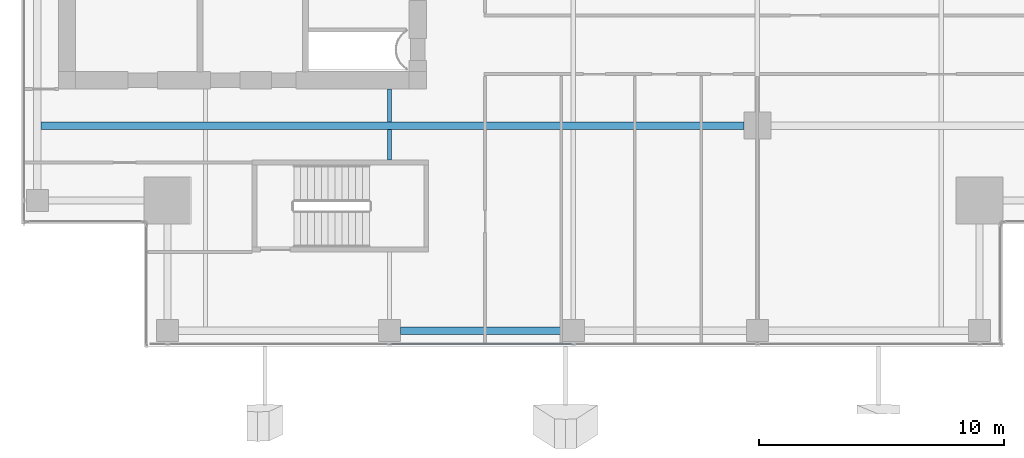
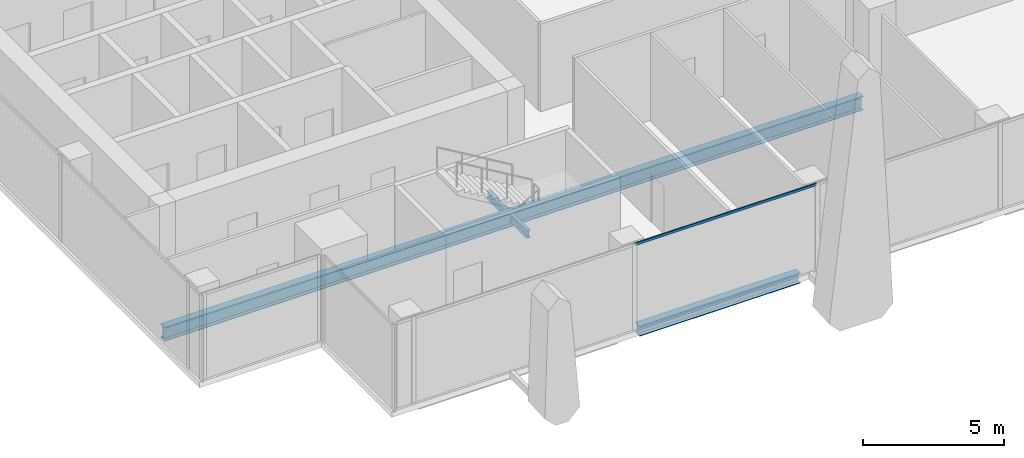
# One storey, part 4 of 35: 4 beams, 1 member, 1 element without a shape of its own.
"""IFC4 building model written with IfcOpenShell, lengths in metres."""

from ifc_helpers import new_model, si_unit, direction, frame, origin, origin_2d, place, context, subcontext, project, spatial, hollow_rectangle, i_section, extrude, source, transform, mapped, material, material_profile, profile_set, type_object, element, aggregate, save


model = new_model("IFC4")

# Units and contexts
model_context = context("Model", 3, precision=1e-05, world=origin(), true_north=direction((0.0, 1.0)))
body_context = subcontext(model_context, "Body", "Model", "MODEL_VIEW")
ifc_project = project(units=[si_unit("LENGTHUNIT", "METRE"), si_unit("AREAUNIT", "SQUARE_METRE"), si_unit("VOLUMEUNIT", "CUBIC_METRE"), si_unit("PLANEANGLEUNIT", "RADIAN"), si_unit("MASSUNIT", "GRAM", prefix="KILO")], contexts=[model_context])

# Site, building, storey
site_placement = place(None, origin())
site = spatial("IfcSite", under=ifc_project, at=site_placement, CompositionType="ELEMENT")
building_placement = place(site_placement, origin())
building = spatial("IfcBuilding", under=site, at=building_placement, Name="Khomas Fold Tower", CompositionType="ELEMENT")
storey_placement = place(building_placement, frame((0.0, 0.0, 250.199951171875)))
storey = spatial("IfcBuildingStorey", under=building, at=storey_placement, Name="L56", CompositionType="ELEMENT", Elevation=250.199951171875)

# Beams
ifc_material_1 = material(Name="Steel S355", Category="steel")
ifc_material_profile_1 = material_profile(ifc_material_1, i_section(OverallWidth=0.159912109375, OverallDepth=0.330078125, WebThickness=0.007568359375, FlangeThickness=0.011474609375, at=origin_2d()), Name="IPE 330")
ifc_profile_set_1 = profile_set([ifc_material_profile_1], Name="Steel S355")
beam_type_1 = type_object("IfcBeamType", Name="IPE 330 beam JB1", PredefinedType="BEAM", material=ifc_profile_set_1)
shared_shape_1 = source(origin(), body_context, "Body", "SweptSolid", [
    extrude(i_section(OverallWidth=0.159912109375, OverallDepth=0.330078125, WebThickness=0.007568359375, FlangeThickness=0.011474609375, at=origin_2d()), origin(), (0.0, 0.0, 1.0), 1.25),
])
beam_1_placement = place(storey_placement, frame((19.5, 12.10009765625, -0.4150390625), z_axis=(0.0, 1.0, 0.0), x_axis=(-1.0, 0.0, 0.0)))
element("IfcBeam", 1, at=beam_1_placement, inside=storey, type_object=beam_type_1, Name="JB1", PredefinedType="BEAM", context=body_context, shape_type="MappedRepresentation", body=[
    mapped(shared_shape_1, transform((0.0, 0.0, 0.0))),
])
shared_shape_2 = source(origin(), body_context, "Body", "SweptSolid", [
    extrude(i_section(OverallWidth=0.159912109375, OverallDepth=0.330078125, WebThickness=0.007568359375, FlangeThickness=0.011474609375, at=origin_2d()), origin(), (0.0, 0.0, 1.0), 1.35009765625),
])
beam_2_placement = place(storey_placement, frame((19.5, 13.64990234375, -0.4150390625), z_axis=(0.0, 1.0, 0.0), x_axis=(-1.0, 0.0, 0.0)))
element("IfcBeam", 2, at=beam_2_placement, inside=storey, type_object=beam_type_1, Name="JB1", PredefinedType="BEAM", context=body_context, shape_type="MappedRepresentation", body=[
    mapped(shared_shape_2, transform((0.0, 0.0, 0.0))),
])
ifc_material_2 = material(Name="Steel S355", Category="steel")
ifc_material_profile_2 = material_profile(ifc_material_2, i_section(OverallWidth=0.300048828125, OverallDepth=0.449951171875, WebThickness=0.013916015625, FlangeThickness=0.02587890625, at=origin_2d()), Name="HE 450 B")
ifc_profile_set_2 = profile_set([ifc_material_profile_2], Name="Steel S355")
beam_type_2 = type_object("IfcBeamType", Name="HE 450 B spandrel SB4", PredefinedType="SPANDREL", material=ifc_profile_set_2)
shared_shape_3 = source(origin(), body_context, "Body", "SweptSolid", [
    extrude(i_section(OverallWidth=0.300048828125, OverallDepth=0.449951171875, WebThickness=0.013916015625, FlangeThickness=0.02587890625, at=origin_2d()), origin(), (0.0, 0.0, 1.0), 6.60009765625),
])
beam_3_placement = place(storey_placement, frame((19.949951171875, 5.14990234375, -0.474853515625), z_axis=(1.0, 0.0, 0.0), x_axis=(0.0, 1.0, 0.0)))
element("IfcBeam", 3, at=beam_3_placement, inside=storey, type_object=beam_type_2, Name="SB4", PredefinedType="SPANDREL", context=body_context, shape_type="MappedRepresentation", body=[
    mapped(shared_shape_3, transform((0.0, 0.0, 0.0))),
])
ifc_material_3 = material(Name="Steel S355", Category="steel")
ifc_material_profile_3 = material_profile(ifc_material_3, i_section(OverallWidth=0.300048828125, OverallDepth=0.60009765625, WebThickness=0.015380859375, FlangeThickness=0.030029296875, at=origin_2d()), Name="HE 600 B")
ifc_profile_set_3 = profile_set([ifc_material_profile_3], Name="Steel S355")
beam_type_3 = type_object("IfcBeamType", Name="HE 600 B beam GB5", PredefinedType="BEAM", material=ifc_profile_set_3)
shared_shape_4 = source(origin(), body_context, "Body", "SweptSolid", [
    extrude(i_section(OverallWidth=0.300048828125, OverallDepth=0.60009765625, WebThickness=0.015380859375, FlangeThickness=0.030029296875, at=origin_2d()), origin(), (0.0, 0.0, 1.0), 28.64990234375),
])
beam_4_placement = place(storey_placement, frame((5.300048828125, 13.5, -0.550048828125), z_axis=(1.0, 0.0, 0.0), x_axis=(0.0, 1.0, 0.0)))
element("IfcBeam", 4, at=beam_4_placement, inside=storey, type_object=beam_type_3, Name="GB5", PredefinedType="BEAM", context=body_context, shape_type="MappedRepresentation", body=[
    mapped(shared_shape_4, transform((0.0, 0.0, 0.0))),
])

# Curtain wall, member
ifc_material_4 = material(Name="Aluminium framed double glazing", Category="aluminium")
curtain_wall_type = type_object("IfcCurtainWallType", Name="SK-Unitised clear-glass wall, office floors CW2", PredefinedType="NOTDEFINED", material=ifc_material_4)
curtain_wall_placement = place(storey_placement, origin())
curtain_wall = element("IfcCurtainWall", 5, at=curtain_wall_placement, inside=storey, type_object=curtain_wall_type, Name="CW2 run L56 00-0", PredefinedType="NOTDEFINED")
ifc_material_5 = material(Name="Aluminium", Category="aluminium")
ifc_material_profile_4 = material_profile(ifc_material_5, hollow_rectangle(XDim=0.050048828125, YDim=0.110107421875, WallThickness=0.00390625, at=origin_2d()), Name="SK-Unitised clear-glass wall, office floors transom CW2-T")
ifc_profile_set_4 = profile_set([ifc_material_profile_4], Name="Aluminium")
member_type = type_object("IfcMemberType", Name="SK-Unitised clear-glass wall, office floors transom CW2-T", PredefinedType="USERDEFINED", material=ifc_profile_set_4)
shared_shape_5 = source(origin(), body_context, "Body", "SweptSolid", [
    extrude(hollow_rectangle(XDim=0.050048828125, YDim=0.110107421875, WallThickness=0.00390625, at=origin_2d()), origin(), (0.0, 0.0, 1.0), 7.43994140625),
])
member_placement = place(storey_placement, frame((19.530029296875, 4.60009765625, 3.695068359375), z_axis=(1.0, 0.0, 0.0), x_axis=(0.0, 1.0, 0.0)))
member = element("IfcMember", 6, at=member_placement, type_object=member_type, Name="CW2 transom 3", ObjectType="TRANSOM", PredefinedType="USERDEFINED", context=body_context, shape_type="MappedRepresentation", body=[
    mapped(shared_shape_5, transform((0.0, 0.0, 0.0))),
])
aggregate(curtain_wall, [member])

save(model, "model.ifc")
